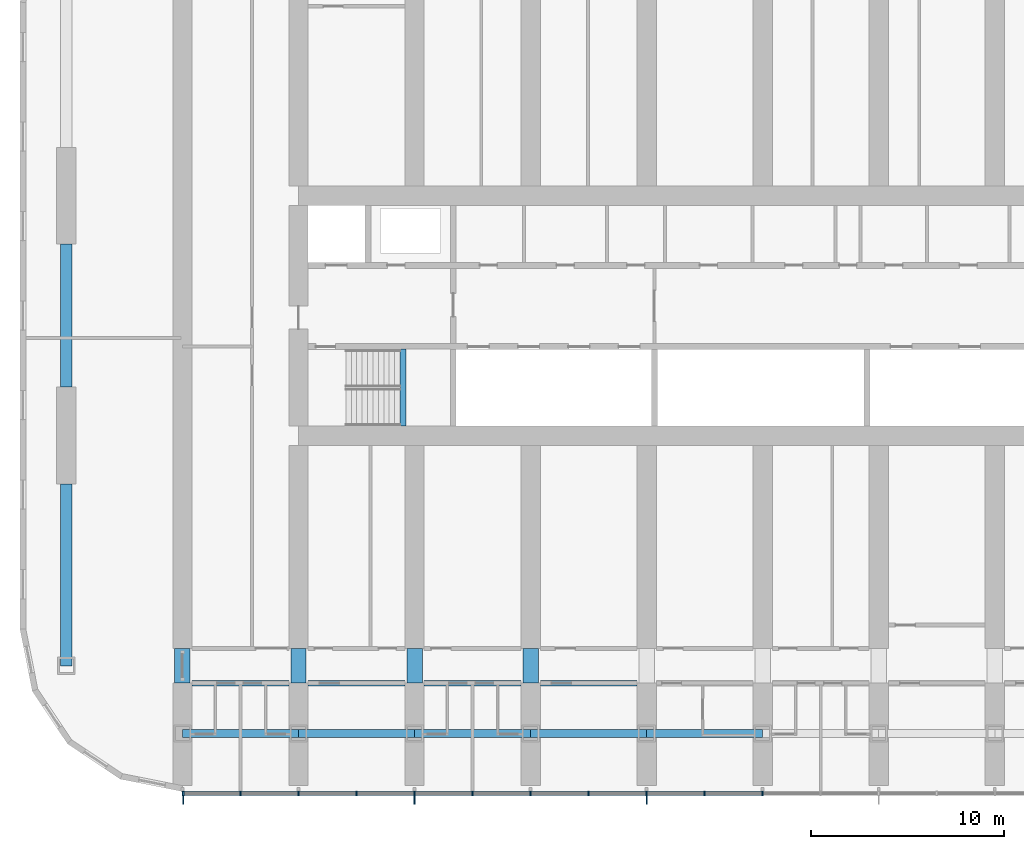
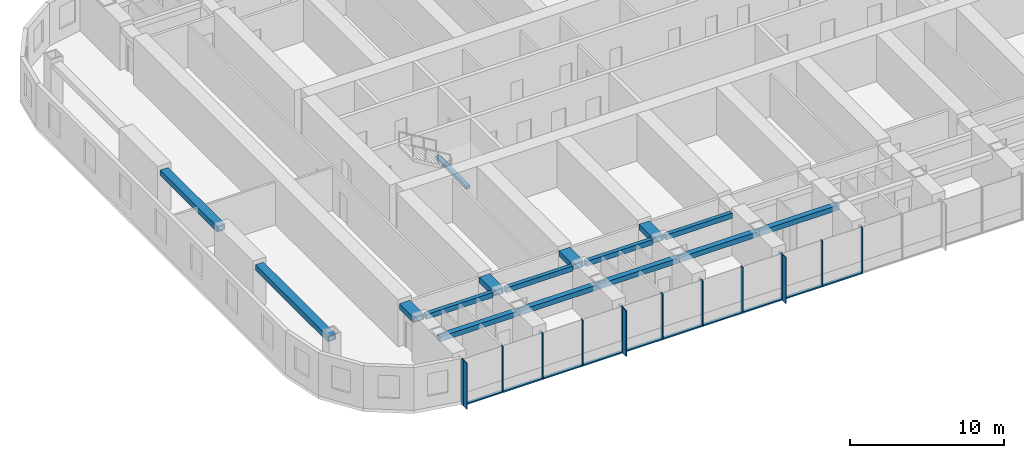
# One storey, part 2 of 23: 24 members, 16 beams, 1 element without a shape of its own.
"""IFC4 building model written with IfcOpenShell, lengths in metres."""

import ifcopenshell
import ifcopenshell.guid

model = None  # the IFC model being written
_history = None  # IfcOwnerHistory: only IFC2X3 demands one
_inside = {}  # id of a spatial element -> (the spatial element, [elements in it])
_under = {}  # id of a project, library or spatial element -> (it, [spatial elements below it])
_declared = {}  # id of a project -> (the project, [libraries it declares])
_typed = {}  # id of a type object -> (the type object, [elements of that type])
_made_of = {}  # id of a material, layer set ... -> (it, [elements and type objects made of it])


def new_model(schema):
    """Start an empty IFC model of exactly this schema.

    Asked for "IFC4X3", IfcOpenShell would pick the latest addendum, in which some entities
    have other attributes; the version numbers below select the first issue.
    IFC2X3 requires an IfcOwnerHistory on every rooted entity: one is made here for all.
    """
    global model, _history
    if schema == "IFC4X3":
        model = ifcopenshell.file(schema_version=(4, 3, 0, 0))
    else:
        model = ifcopenshell.file(schema=schema)
    _inside.clear()
    _under.clear()
    _declared.clear()
    _typed.clear()
    _made_of.clear()
    _history = None
    if model.schema == "IFC2X3":
        org = make("IfcOrganization", Name="unknown")
        user = make(
            "IfcPersonAndOrganization",
            ThePerson=make("IfcPerson", FamilyName="unknown"),
            TheOrganization=org,
        )
        app = make(
            "IfcApplication",
            ApplicationDeveloper=org,
            Version="unknown",
            ApplicationFullName="unknown",
            ApplicationIdentifier="unknown",
        )
        _history = make(
            "IfcOwnerHistory",
            OwningUser=user,
            OwningApplication=app,
            ChangeAction="ADDED",
            CreationDate=0,
        )
    return model


def make(cls, **values):
    """One entity of the class cls with the attributes given. An attribute that is None is left unset."""
    return model.create_entity(
        cls, **{name: value for name, value in values.items() if value is not None}
    )


def rooted(cls, **values):
    """An entity with a GlobalId (a new one), such as an element, a storey or a relation."""
    return make(cls, GlobalId=ifcopenshell.guid.new(), OwnerHistory=_history, **values)


def si_unit(unit_type, name, prefix=None):
    """IfcSIUnit, for example si_unit("LENGTHUNIT", "METRE", prefix="MILLI")."""
    return make("IfcSIUnit", UnitType=unit_type, Prefix=prefix, Name=name)


def assignment(units):
    """IfcUnitAssignment: the units of a project."""
    return None if units is None else make("IfcUnitAssignment", Units=units)


def point(xyz):
    """IfcCartesianPoint."""
    return None if xyz is None else make("IfcCartesianPoint", Coordinates=xyz)


def direction(xyz):
    """IfcDirection."""
    return None if xyz is None else make("IfcDirection", DirectionRatios=xyz)


def frame(location, z_axis=None, x_axis=None):
    """IfcAxis2Placement3D, a coordinate frame: its origin and axes. An axis left out is left unset."""
    return make(
        "IfcAxis2Placement3D",
        Location=point(location),
        Axis=direction(z_axis),
        RefDirection=direction(x_axis),
    )


def frame_2d(location, x_axis=None):
    """IfcAxis2Placement2D, a coordinate frame in the plane: its origin and x axis."""
    return make(
        "IfcAxis2Placement2D", Location=point(location), RefDirection=direction(x_axis)
    )


def origin():
    """The frame at (0, 0, 0) with its axes left unset."""
    return frame((0.0, 0.0, 0.0))


def origin_2d():
    """The frame at (0, 0) in the plane with its x axis left unset."""
    return frame_2d((0.0, 0.0))


def place(relative_to, where):
    """IfcLocalPlacement: puts the frame where relative to a parent placement (None: the world)."""
    return make(
        "IfcLocalPlacement", PlacementRelTo=relative_to, RelativePlacement=where
    )


def context(
    kind, dimensions, precision=None, world=None, true_north=None, identifier=None
):
    """IfcGeometricRepresentationContext, for example the 3D "Model" context."""
    return make(
        "IfcGeometricRepresentationContext",
        ContextIdentifier=identifier,
        ContextType=kind,
        CoordinateSpaceDimension=dimensions,
        Precision=precision,
        WorldCoordinateSystem=world,
        TrueNorth=true_north,
    )


def subcontext(parent, identifier, kind, view, scale=None):
    """IfcGeometricRepresentationSubContext, for example "Body" below "Model"."""
    return make(
        "IfcGeometricRepresentationSubContext",
        ContextIdentifier=identifier,
        ContextType=kind,
        ParentContext=parent,
        TargetScale=scale,
        TargetView=view,
    )


def project(units=None, contexts=None):
    """IfcProject with its units and contexts."""
    return rooted(
        "IfcProject",
        Name="project",
        RepresentationContexts=contexts,
        UnitsInContext=assignment(units),
    )


def spatial(cls, under=None, at=None, **own):
    """A site, building, storey or space (cls), placed at a placement, below another one or the project."""
    s = rooted(cls, ObjectPlacement=at, **own)
    if under is not None:
        _under.setdefault(under.id(), (under, []))[1].append(s)
    return s


def profile(cls, at=None, kind="AREA", **sizes):
    """A parametric profile (cls). Its sizes go by their IFC names, for example OverallWidth=200.0."""
    return make(cls, ProfileType=kind, Position=at, **sizes)


def rectangle(**sizes):
    """IfcRectangleProfileDef."""
    return profile("IfcRectangleProfileDef", **sizes)


def hollow_rectangle(**sizes):
    """IfcRectangleHollowProfileDef."""
    return profile("IfcRectangleHollowProfileDef", **sizes)


def extrude(swept, where, along, depth):
    """IfcExtrudedAreaSolid: the profile swept, set in the frame where, extruded along a direction by depth."""
    return make(
        "IfcExtrudedAreaSolid",
        SweptArea=swept,
        Position=where,
        ExtrudedDirection=direction(along),
        Depth=depth,
    )


def shape(context_of_items, identifier, shape_type, items):
    """IfcShapeRepresentation: the items that make up one representation, for example the "Body"."""
    return make(
        "IfcShapeRepresentation",
        ContextOfItems=context_of_items,
        RepresentationIdentifier=identifier,
        RepresentationType=shape_type,
        Items=items,
    )


def material(Name=None, Category=None):
    """IfcMaterial."""
    return make("IfcMaterial", Name=Name, Category=Category)


def material_profile(
    of_material, cross_section, Name=None, Category=None, Priority=None
):
    """IfcMaterialProfile: a cross section and its material."""
    return make(
        "IfcMaterialProfile",
        Name=Name,
        Material=of_material,
        Profile=cross_section,
        Priority=Priority,
        Category=Category,
    )


def profile_set(profiles, Name=None, composite=None):
    """IfcMaterialProfileSet."""
    return make(
        "IfcMaterialProfileSet",
        Name=Name,
        MaterialProfiles=profiles,
        CompositeProfile=composite,
    )


def made_of(thing, what):
    """Note that an element or type object is made of a material, layer set ...; save() writes the relation."""
    if what is not None:
        _made_of.setdefault(what.id(), (what, []))[1].append(thing)
    return thing


def type_object(cls, material=None, **own):
    """A type object (cls), such as IfcWallType, which elements share."""
    return made_of(rooted(cls, **own), material)


def element(
    cls,
    number,
    at=None,
    inside=None,
    cuts=None,
    type_object=None,
    material=None,
    context=None,
    identifier="Body",
    shape_type=None,
    held_by="IfcProductDefinitionShape",
    body=None,
    shapes=None,
    **own,
):
    """One element of the class cls, such as IfcWall. Its Tag is "e" and its number.

    at: its placement. inside: the storey or other place that contains it. cuts: it is an
    opening in that element (IfcRelVoidsElement). A single representation is given by context,
    identifier, shape_type and body (its items); several are given by shapes. held_by: the class
    of the entity that holds the representations. save() writes the other relations.
    """
    e = rooted(cls, Tag="e%d" % number, ObjectPlacement=at, **own)
    if body is not None:
        shapes = [shape(context, identifier, shape_type, body)]
    if shapes is not None:
        e.Representation = make(held_by, Representations=shapes)
    if inside is not None:
        _inside.setdefault(inside.id(), (inside, []))[1].append(e)
    if cuts is not None:
        rooted(
            "IfcRelVoidsElement", RelatingBuildingElement=cuts, RelatedOpeningElement=e
        )
    if type_object is not None:
        _typed.setdefault(type_object.id(), (type_object, []))[1].append(e)
    return made_of(e, material)


def aggregate(whole, parts):
    """IfcRelAggregates: a whole, such as a stair, and the parts it consists of."""
    return rooted("IfcRelAggregates", RelatingObject=whole, RelatedObjects=parts)


def save(model, path):
    """Write the relations noted so far, then the file.

    IfcRelAggregates (storeys below a building ...), IfcRelContainedInSpatialStructure (elements
    in a storey), IfcRelDefinesByType, IfcRelAssociatesMaterial and IfcRelDeclares: one each for
    every whole, place, type object, material and project.
    """
    for whole, parts in _under.values():
        aggregate(whole, parts)
    for where, things in _inside.values():
        rooted(
            "IfcRelContainedInSpatialStructure",
            RelatedElements=things,
            RelatingStructure=where,
        )
    for kind, things in _typed.values():
        rooted("IfcRelDefinesByType", RelatedObjects=things, RelatingType=kind)
    for what, things in _made_of.values():
        rooted("IfcRelAssociatesMaterial", RelatedObjects=things, RelatingMaterial=what)
    for by, libraries in _declared.values():
        rooted("IfcRelDeclares", RelatingContext=by, RelatedDefinitions=libraries)
    model.write(path)


model = new_model("IFC4")

# Units and contexts
model_context = context("Model", 3, precision=1e-05, world=origin(), true_north=direction((0.0, 1.0)))
body_context = subcontext(model_context, "Body", "Model", "MODEL_VIEW")
ifc_project = project(units=[si_unit("LENGTHUNIT", "METRE"), si_unit("AREAUNIT", "SQUARE_METRE"), si_unit("VOLUMEUNIT", "CUBIC_METRE"), si_unit("PLANEANGLEUNIT", "RADIAN"), si_unit("MASSUNIT", "GRAM", prefix="KILO")], contexts=[model_context])

# Site, building, storey
site_placement = place(None, origin())
site = spatial("IfcSite", under=ifc_project, at=site_placement, CompositionType="ELEMENT")
building_placement = place(site_placement, origin())
building = spatial("IfcBuilding", under=site, at=building_placement, Name="Orbita Commons", CompositionType="ELEMENT")
storey_placement = place(building_placement, frame((0.0, 0.0, 65.199951171875)))
storey = spatial("IfcBuildingStorey", under=building, at=storey_placement, Name="L16", CompositionType="ELEMENT", Elevation=65.199951171875)

# Curtain wall, members
ifc_material_1 = material(Name="Anodised aluminium frame, pale silver", Category="aluminium")
curtain_wall_type = type_object("IfcCurtainWallType", Name="Unitised curtain wall CW-T, vision and spandrel", PredefinedType="NOTDEFINED", material=ifc_material_1)
curtain_wall_placement = place(storey_placement, origin())
curtain_wall = element("IfcCurtainWall", 1, at=curtain_wall_placement, inside=storey, type_object=curtain_wall_type, Name="Curtain wall south L16", PredefinedType="NOTDEFINED")
ifc_material_2 = material(Name="Anodised aluminium, pale silver", Category="aluminium")
ifc_material_profile_1 = material_profile(ifc_material_2, rectangle(XDim=0.080078125, YDim=0.219970703125, at=origin_2d()), Name="AL 80x220")
ifc_profile_set_1 = profile_set([ifc_material_profile_1], Name="Anodised aluminium, pale silver")
member_type_1 = type_object("IfcMemberType", Name="Curtain wall mullion 80x220", PredefinedType="MULLION", material=ifc_profile_set_1)
member_1_placement = place(storey_placement, frame((12.0400390625, 7.2900390625, -0.25), z_axis=(0.0, 0.0, 1.0), x_axis=(1.0, 0.0, 0.0)))
member_1 = element("IfcMember", 2, at=member_1_placement, type_object=member_type_1, Name="Mullion 1 CW-L16-S", PredefinedType="MULLION", context=body_context, shape_type="SweptSolid", body=[
    extrude(rectangle(XDim=0.080078125, YDim=0.219970703125, at=origin_2d()), origin(), (0.0, 0.0, 1.0), 3.650146484375),
])
member_2_placement = place(storey_placement, frame((15.0, 7.2900390625, -0.25), z_axis=(0.0, 0.0, 1.0), x_axis=(1.0, 0.0, 0.0)))
member_2 = element("IfcMember", 3, at=member_2_placement, type_object=member_type_1, Name="Mullion 2 CW-L16-S", PredefinedType="MULLION", context=body_context, shape_type="SweptSolid", body=[
    extrude(rectangle(XDim=0.080078125, YDim=0.219970703125, at=origin_2d()), origin(), (0.0, 0.0, 1.0), 3.650146484375),
])
member_3_placement = place(storey_placement, frame((18.0, 7.2900390625, -0.25), z_axis=(0.0, 0.0, 1.0), x_axis=(1.0, 0.0, 0.0)))
member_3 = element("IfcMember", 4, at=member_3_placement, type_object=member_type_1, Name="Mullion 3 CW-L16-S", PredefinedType="MULLION", context=body_context, shape_type="SweptSolid", body=[
    extrude(rectangle(XDim=0.080078125, YDim=0.219970703125, at=origin_2d()), origin(), (0.0, 0.0, 1.0), 3.650146484375),
])
member_4_placement = place(storey_placement, frame((21.0, 7.2900390625, -0.25), z_axis=(0.0, 0.0, 1.0), x_axis=(1.0, 0.0, 0.0)))
member_4 = element("IfcMember", 5, at=member_4_placement, type_object=member_type_1, Name="Mullion 4 CW-L16-S", PredefinedType="MULLION", context=body_context, shape_type="SweptSolid", body=[
    extrude(rectangle(XDim=0.080078125, YDim=0.219970703125, at=origin_2d()), origin(), (0.0, 0.0, 1.0), 3.650146484375),
])
member_5_placement = place(storey_placement, frame((24.0, 7.2900390625, -0.25), z_axis=(0.0, 0.0, 1.0), x_axis=(1.0, 0.0, 0.0)))
member_5 = element("IfcMember", 6, at=member_5_placement, type_object=member_type_1, Name="Mullion 5 CW-L16-S", PredefinedType="MULLION", context=body_context, shape_type="SweptSolid", body=[
    extrude(rectangle(XDim=0.080078125, YDim=0.219970703125, at=origin_2d()), origin(), (0.0, 0.0, 1.0), 3.650146484375),
])
member_6_placement = place(storey_placement, frame((27.0, 7.2900390625, -0.25), z_axis=(0.0, 0.0, 1.0), x_axis=(1.0, 0.0, 0.0)))
member_6 = element("IfcMember", 7, at=member_6_placement, type_object=member_type_1, Name="Mullion 6 CW-L16-S", PredefinedType="MULLION", context=body_context, shape_type="SweptSolid", body=[
    extrude(rectangle(XDim=0.080078125, YDim=0.219970703125, at=origin_2d()), origin(), (0.0, 0.0, 1.0), 3.650146484375),
])
member_7_placement = place(storey_placement, frame((30.0, 7.2900390625, -0.25), z_axis=(0.0, 0.0, 1.0), x_axis=(1.0, 0.0, 0.0)))
member_7 = element("IfcMember", 8, at=member_7_placement, type_object=member_type_1, Name="Mullion 7 CW-L16-S", PredefinedType="MULLION", context=body_context, shape_type="SweptSolid", body=[
    extrude(rectangle(XDim=0.080078125, YDim=0.219970703125, at=origin_2d()), origin(), (0.0, 0.0, 1.0), 3.650146484375),
])
member_8_placement = place(storey_placement, frame((33.0, 7.2900390625, -0.25), z_axis=(0.0, 0.0, 1.0), x_axis=(1.0, 0.0, 0.0)))
member_8 = element("IfcMember", 9, at=member_8_placement, type_object=member_type_1, Name="Mullion 8 CW-L16-S", PredefinedType="MULLION", context=body_context, shape_type="SweptSolid", body=[
    extrude(rectangle(XDim=0.080078125, YDim=0.219970703125, at=origin_2d()), origin(), (0.0, 0.0, 1.0), 3.650146484375),
])
member_9_placement = place(storey_placement, frame((36.0, 7.2900390625, -0.25), z_axis=(0.0, 0.0, 1.0), x_axis=(1.0, 0.0, 0.0)))
member_9 = element("IfcMember", 10, at=member_9_placement, type_object=member_type_1, Name="Mullion 9 CW-L16-S", PredefinedType="MULLION", context=body_context, shape_type="SweptSolid", body=[
    extrude(rectangle(XDim=0.080078125, YDim=0.219970703125, at=origin_2d()), origin(), (0.0, 0.0, 1.0), 3.650146484375),
])
member_10_placement = place(storey_placement, frame((39.0, 7.2900390625, -0.25), z_axis=(0.0, 0.0, 1.0), x_axis=(1.0, 0.0, 0.0)))
member_10 = element("IfcMember", 11, at=member_10_placement, type_object=member_type_1, Name="Mullion 10 CW-L16-S", PredefinedType="MULLION", context=body_context, shape_type="SweptSolid", body=[
    extrude(rectangle(XDim=0.080078125, YDim=0.219970703125, at=origin_2d()), origin(), (0.0, 0.0, 1.0), 3.650146484375),
])
member_11_placement = place(storey_placement, frame((42.0, 7.2900390625, -0.25), z_axis=(0.0, 0.0, 1.0), x_axis=(1.0, 0.0, 0.0)))
member_11 = element("IfcMember", 12, at=member_11_placement, type_object=member_type_1, Name="Mullion 11 CW-L16-S", PredefinedType="MULLION", context=body_context, shape_type="SweptSolid", body=[
    extrude(rectangle(XDim=0.080078125, YDim=0.219970703125, at=origin_2d()), origin(), (0.0, 0.0, 1.0), 3.650146484375),
])
ifc_material_3 = material(Name="Anodised aluminium, pale silver", Category="aluminium")
ifc_material_profile_2 = material_profile(ifc_material_3, rectangle(XDim=0.219970703125, YDim=0.10009765625, at=origin_2d()), Name="AL 220x100")
ifc_profile_set_2 = profile_set([ifc_material_profile_2], Name="Anodised aluminium, pale silver")
member_type_2 = type_object("IfcMemberType", Name="Curtain wall stack transom 220x100", PredefinedType="USERDEFINED", material=ifc_profile_set_2)
member_12_placement = place(storey_placement, frame((12.080078125, 7.2900390625, -0.199951171875), z_axis=(1.0, 0.0, 0.0), x_axis=(0.0, 1.0, 0.0)))
member_12 = element("IfcMember", 13, at=member_12_placement, type_object=member_type_2, Name="Transom 1.1 CW-L16-S", ObjectType="TRANSOM", PredefinedType="USERDEFINED", context=body_context, shape_type="SweptSolid", body=[
    extrude(rectangle(XDim=0.219970703125, YDim=0.10009765625, at=origin_2d()), origin(), (0.0, 0.0, 1.0), 2.8798828125),
])
member_13_placement = place(storey_placement, frame((15.0400390625, 7.2900390625, -0.199951171875), z_axis=(1.0, 0.0, 0.0), x_axis=(0.0, 1.0, 0.0)))
member_13 = element("IfcMember", 14, at=member_13_placement, type_object=member_type_2, Name="Transom 2.1 CW-L16-S", ObjectType="TRANSOM", PredefinedType="USERDEFINED", context=body_context, shape_type="SweptSolid", body=[
    extrude(rectangle(XDim=0.219970703125, YDim=0.10009765625, at=origin_2d()), origin(), (0.0, 0.0, 1.0), 2.919921875),
])
member_14_placement = place(storey_placement, frame((18.0400390625, 7.2900390625, -0.199951171875), z_axis=(1.0, 0.0, 0.0), x_axis=(0.0, 1.0, 0.0)))
member_14 = element("IfcMember", 15, at=member_14_placement, type_object=member_type_2, Name="Transom 3.1 CW-L16-S", ObjectType="TRANSOM", PredefinedType="USERDEFINED", context=body_context, shape_type="SweptSolid", body=[
    extrude(rectangle(XDim=0.219970703125, YDim=0.10009765625, at=origin_2d()), origin(), (0.0, 0.0, 1.0), 2.919921875),
])
member_15_placement = place(storey_placement, frame((21.0400390625, 7.2900390625, -0.199951171875), z_axis=(1.0, 0.0, 0.0), x_axis=(0.0, 1.0, 0.0)))
member_15 = element("IfcMember", 16, at=member_15_placement, type_object=member_type_2, Name="Transom 4.1 CW-L16-S", ObjectType="TRANSOM", PredefinedType="USERDEFINED", context=body_context, shape_type="SweptSolid", body=[
    extrude(rectangle(XDim=0.219970703125, YDim=0.10009765625, at=origin_2d()), origin(), (0.0, 0.0, 1.0), 2.919921875),
])
member_16_placement = place(storey_placement, frame((24.0400390625, 7.2900390625, -0.199951171875), z_axis=(1.0, 0.0, 0.0), x_axis=(0.0, 1.0, 0.0)))
member_16 = element("IfcMember", 17, at=member_16_placement, type_object=member_type_2, Name="Transom 5.1 CW-L16-S", ObjectType="TRANSOM", PredefinedType="USERDEFINED", context=body_context, shape_type="SweptSolid", body=[
    extrude(rectangle(XDim=0.219970703125, YDim=0.10009765625, at=origin_2d()), origin(), (0.0, 0.0, 1.0), 2.919921875),
])
member_17_placement = place(storey_placement, frame((27.0400390625, 7.2900390625, -0.199951171875), z_axis=(1.0, 0.0, 0.0), x_axis=(0.0, 1.0, 0.0)))
member_17 = element("IfcMember", 18, at=member_17_placement, type_object=member_type_2, Name="Transom 6.1 CW-L16-S", ObjectType="TRANSOM", PredefinedType="USERDEFINED", context=body_context, shape_type="SweptSolid", body=[
    extrude(rectangle(XDim=0.219970703125, YDim=0.10009765625, at=origin_2d()), origin(), (0.0, 0.0, 1.0), 2.919921875),
])
member_18_placement = place(storey_placement, frame((30.0400390625, 7.2900390625, -0.199951171875), z_axis=(1.0, 0.0, 0.0), x_axis=(0.0, 1.0, 0.0)))
member_18 = element("IfcMember", 19, at=member_18_placement, type_object=member_type_2, Name="Transom 7.1 CW-L16-S", ObjectType="TRANSOM", PredefinedType="USERDEFINED", context=body_context, shape_type="SweptSolid", body=[
    extrude(rectangle(XDim=0.219970703125, YDim=0.10009765625, at=origin_2d()), origin(), (0.0, 0.0, 1.0), 2.919921875),
])
member_19_placement = place(storey_placement, frame((33.0400390625, 7.2900390625, -0.199951171875), z_axis=(1.0, 0.0, 0.0), x_axis=(0.0, 1.0, 0.0)))
member_19 = element("IfcMember", 20, at=member_19_placement, type_object=member_type_2, Name="Transom 8.1 CW-L16-S", ObjectType="TRANSOM", PredefinedType="USERDEFINED", context=body_context, shape_type="SweptSolid", body=[
    extrude(rectangle(XDim=0.219970703125, YDim=0.10009765625, at=origin_2d()), origin(), (0.0, 0.0, 1.0), 2.919921875),
])
member_20_placement = place(storey_placement, frame((36.0400390625, 7.2900390625, -0.199951171875), z_axis=(1.0, 0.0, 0.0), x_axis=(0.0, 1.0, 0.0)))
member_20 = element("IfcMember", 21, at=member_20_placement, type_object=member_type_2, Name="Transom 9.1 CW-L16-S", ObjectType="TRANSOM", PredefinedType="USERDEFINED", context=body_context, shape_type="SweptSolid", body=[
    extrude(rectangle(XDim=0.219970703125, YDim=0.10009765625, at=origin_2d()), origin(), (0.0, 0.0, 1.0), 2.919921875),
])
member_21_placement = place(storey_placement, frame((39.0400390625, 7.2900390625, -0.199951171875), z_axis=(1.0, 0.0, 0.0), x_axis=(0.0, 1.0, 0.0)))
member_21 = element("IfcMember", 22, at=member_21_placement, type_object=member_type_2, Name="Transom 10.1 CW-L16-S", ObjectType="TRANSOM", PredefinedType="USERDEFINED", context=body_context, shape_type="SweptSolid", body=[
    extrude(rectangle(XDim=0.219970703125, YDim=0.10009765625, at=origin_2d()), origin(), (0.0, 0.0, 1.0), 2.919921875),
])

# Beams
ifc_material_4 = material(Name="Steel ASTM A572 Gr 50 welded plate", Category="steel")
ifc_material_profile_3 = material_profile(ifc_material_4, hollow_rectangle(XDim=0.300048828125, YDim=0.25, WallThickness=0.02490234375, at=origin_2d()), Name="BOX 250x300x25")
ifc_profile_set_3 = profile_set([ifc_material_profile_3], Name="Steel ASTM A572 Gr 50 welded plate")
beam_type_1 = type_object("IfcBeamType", Name="Stair landing beam steel BOX 250x300x25", PredefinedType="BEAM", material=ifc_profile_set_3)
beam_1_placement = place(storey_placement, frame((23.39990234375, 26.284912109375, 1.550048828125), z_axis=(0.0, 1.0, 0.0), x_axis=(-1.0, 0.0, 0.0)))
element("IfcBeam", 23, at=beam_1_placement, inside=storey, type_object=beam_type_1, Name="Stair S1 landing beam L16 1", PredefinedType="BEAM", context=body_context, shape_type="SweptSolid", body=[
    extrude(hollow_rectangle(XDim=0.300048828125, YDim=0.25, WallThickness=0.02490234375, at=origin_2d()), origin(), (0.0, 0.0, 1.0), 3.97998046875),
])
ifc_material_5 = material(Name="Steel ASTM A572 Gr 50 welded plate", Category="steel")
ifc_material_profile_4 = material_profile(ifc_material_5, hollow_rectangle(XDim=0.300048828125, YDim=0.39990234375, WallThickness=0.0400390625, at=origin_2d()), Name="BOX 400x300x40")
ifc_profile_set_4 = profile_set([ifc_material_profile_4], Name="Steel ASTM A572 Gr 50 welded plate")
beam_type_2 = type_object("IfcBeamType", Name="Steel corridor link BOX 400x300x40", PredefinedType="BEAM", material=ifc_profile_set_4)
for number, where, z_axis, x_axis, name in (
    (24, (12.5, 13.0, 3.199951171875), (1.0, 0.0, 0.0), (0.0, 1.0, 0.0), "Corridor beam SA 3-4 L16"),
    (25, (18.5, 13.0, 3.199951171875), (1.0, 0.0, 0.0), (0.0, 1.0, 0.0), "Corridor beam SA 4-5 L16"),
    (26, (24.5, 13.0, 3.199951171875), (1.0, 0.0, 0.0), (0.0, 1.0, 0.0), "Corridor beam SA 5-6 L16"),
    (27, (30.5, 13.0, 3.199951171875), (1.0, 0.0, 0.0), (0.0, 1.0, 0.0), "Corridor beam SA 6-7 L16"),
):
    element("IfcBeam", number, at=place(storey_placement, frame(where, z_axis=z_axis, x_axis=x_axis)), inside=storey, type_object=beam_type_2, Name=name, PredefinedType="BEAM", context=body_context, shape_type="SweptSolid", body=[
        extrude(hollow_rectangle(XDim=0.300048828125, YDim=0.39990234375, WallThickness=0.0400390625, at=origin_2d()), origin(), (0.0, 0.0, 1.0), 5.0),
    ])
ifc_material_6 = material(Name="Steel ASTM A572 Gr 50 welded plate", Category="steel")
ifc_material_profile_5 = material_profile(ifc_material_6, hollow_rectangle(XDim=0.800048828125, YDim=0.449951171875, WallThickness=0.06005859375, at=origin_2d()), Name="BOX 450x800x60")
ifc_profile_set_5 = profile_set([ifc_material_profile_5], Name="Steel ASTM A572 Gr 50 welded plate")
beam_type_3 = type_object("IfcBeamType", Name="Steel coupling link BOX 450x800x60", PredefinedType="LINTEL", material=ifc_profile_set_5)
for number, where, z_axis, x_axis, name in (
    (28, (12.0, 13.0, 3.175048828125), (0.0, 1.0, 0.0), (-1.0, 0.0, 0.0), "Coupling beam 3 south L16"),
    (29, (18.0, 13.0, 3.175048828125), (0.0, 1.0, 0.0), (-1.0, 0.0, 0.0), "Coupling beam 4 south L16"),
    (30, (24.0, 13.0, 3.175048828125), (0.0, 1.0, 0.0), (-1.0, 0.0, 0.0), "Coupling beam 5 south L16"),
    (31, (30.0, 13.0, 3.175048828125), (0.0, 1.0, 0.0), (-1.0, 0.0, 0.0), "Coupling beam 6 south L16"),
):
    element("IfcBeam", number, at=place(storey_placement, frame(where, z_axis=z_axis, x_axis=x_axis)), inside=storey, type_object=beam_type_3, Name=name, PredefinedType="LINTEL", context=body_context, shape_type="SweptSolid", body=[
        extrude(hollow_rectangle(XDim=0.800048828125, YDim=0.449951171875, WallThickness=0.06005859375, at=origin_2d()), origin(), (0.0, 0.0, 1.0), 1.800048828125),
    ])
ifc_material_7 = material(Name="Steel ASTM A572 Gr 50 welded plate", Category="steel")
ifc_material_profile_6 = material_profile(ifc_material_7, hollow_rectangle(XDim=0.60009765625, YDim=0.449951171875, WallThickness=0.06005859375, at=origin_2d()), Name="BOX 450x600x60")
ifc_profile_set_6 = profile_set([ifc_material_profile_6], Name="Steel ASTM A572 Gr 50 welded plate")
beam_type_4 = type_object("IfcBeamType", Name="Steel end frame link BOX 450x600x60", PredefinedType="BEAM", material=ifc_profile_set_6)
beam_2_placement = place(storey_placement, frame((6.0, 13.89990234375, 3.175048828125), z_axis=(0.0, 1.0, 0.0), x_axis=(-1.0, 0.0, 0.0)))
element("IfcBeam", 32, at=beam_2_placement, inside=storey, type_object=beam_type_4, Name="End frame beam 2 B-C L16", PredefinedType="BEAM", context=body_context, shape_type="SweptSolid", body=[
    extrude(hollow_rectangle(XDim=0.60009765625, YDim=0.449951171875, WallThickness=0.06005859375, at=origin_2d()), origin(), (0.0, 0.0, 1.0), 9.400146484375),
])
beam_3_placement = place(storey_placement, frame((6.0, 28.300048828125, 3.175048828125), z_axis=(0.0, 1.0, 0.0), x_axis=(-1.0, 0.0, 0.0)))
element("IfcBeam", 33, at=beam_3_placement, inside=storey, type_object=beam_type_4, Name="End frame beam 2 C-D L16", PredefinedType="BEAM", context=body_context, shape_type="SweptSolid", body=[
    extrude(hollow_rectangle(XDim=0.60009765625, YDim=0.449951171875, WallThickness=0.06005859375, at=origin_2d()), origin(), (0.0, 0.0, 1.0), 7.39990234375),
])
ifc_material_8 = material(Name="Steel ASTM A572 Gr 50 welded plate", Category="steel")
ifc_material_profile_7 = material_profile(ifc_material_8, hollow_rectangle(XDim=0.39990234375, YDim=0.39990234375, WallThickness=0.0400390625, at=origin_2d()), Name="BOX 400x400x40")
ifc_profile_set_7 = profile_set([ifc_material_profile_7], Name="Steel ASTM A572 Gr 50 welded plate")
beam_type_5 = type_object("IfcBeamType", Name="Steel spandrel BOX 400x400x40", PredefinedType="SPANDREL", material=ifc_profile_set_7)
for number, where, z_axis, x_axis, name in (
    (34, (12.0, 10.39990234375, 3.199951171875), (1.0, 0.0, 0.0), (0.0, 1.0, 0.0), "Spandrel beam B 3-4 L16"),
    (35, (18.0, 10.39990234375, 3.199951171875), (1.0, 0.0, 0.0), (0.0, 1.0, 0.0), "Spandrel beam B 4-5 L16"),
    (36, (24.0, 10.39990234375, 3.199951171875), (1.0, 0.0, 0.0), (0.0, 1.0, 0.0), "Spandrel beam B 5-6 L16"),
    (37, (30.0, 10.39990234375, 3.199951171875), (1.0, 0.0, 0.0), (0.0, 1.0, 0.0), "Spandrel beam B 6-7 L16"),
    (38, (36.0, 10.39990234375, 3.199951171875), (1.0, 0.0, 0.0), (0.0, 1.0, 0.0), "Spandrel beam B 7-8 L16"),
):
    element("IfcBeam", number, at=place(storey_placement, frame(where, z_axis=z_axis, x_axis=x_axis)), inside=storey, type_object=beam_type_5, Name=name, PredefinedType="SPANDREL", context=body_context, shape_type="SweptSolid", body=[
        extrude(hollow_rectangle(XDim=0.39990234375, YDim=0.39990234375, WallThickness=0.0400390625, at=origin_2d()), origin(), (0.0, 0.0, 1.0), 6.0),
    ])

# Member
ifc_material_9 = material(Name="Anodised aluminium, pale silver", Category="aluminium")
ifc_material_profile_8 = material_profile(ifc_material_9, rectangle(XDim=0.06005859375, YDim=0.449951171875, at=origin_2d()), Name="FIN 60x450")
ifc_profile_set_8 = profile_set([ifc_material_profile_8], Name="Anodised aluminium, pale silver")
member_type_3 = type_object("IfcMemberType", Name="Vertical fin 60x450 pale aluminium", PredefinedType="USERDEFINED", material=ifc_profile_set_8)
member_22_placement = place(storey_placement, frame((12.0400390625, 6.955078125, -0.25), z_axis=(0.0, 0.0, 1.0), x_axis=(1.0, 0.0, 0.0)))
member_22 = element("IfcMember", 39, at=member_22_placement, type_object=member_type_3, Name="Fin 1 CW-L16-S", ObjectType="FIN", PredefinedType="USERDEFINED", context=body_context, shape_type="SweptSolid", body=[
    extrude(rectangle(XDim=0.06005859375, YDim=0.449951171875, at=origin_2d()), origin(), (0.0, 0.0, 1.0), 3.650146484375),
])

member_23_placement = place(storey_placement, frame((24.0, 6.955078125, -0.25), z_axis=(0.0, 0.0, 1.0), x_axis=(1.0, 0.0, 0.0)))
member_23 = element("IfcMember", 40, at=member_23_placement, type_object=member_type_3, Name="Fin 5 CW-L16-S", ObjectType="FIN", PredefinedType="USERDEFINED", context=body_context, shape_type="SweptSolid", body=[
    extrude(rectangle(XDim=0.06005859375, YDim=0.449951171875, at=origin_2d()), origin(), (0.0, 0.0, 1.0), 3.650146484375),
])

member_24_placement = place(storey_placement, frame((36.0, 6.955078125, -0.25), z_axis=(0.0, 0.0, 1.0), x_axis=(1.0, 0.0, 0.0)))
member_24 = element("IfcMember", 41, at=member_24_placement, type_object=member_type_3, Name="Fin 9 CW-L16-S", ObjectType="FIN", PredefinedType="USERDEFINED", context=body_context, shape_type="SweptSolid", body=[
    extrude(rectangle(XDim=0.06005859375, YDim=0.449951171875, at=origin_2d()), origin(), (0.0, 0.0, 1.0), 3.650146484375),
])

aggregate(curtain_wall, [member_1, member_22, member_2, member_3, member_4, member_5, member_23, member_6, member_7, member_8, member_9, member_24, member_10, member_11, member_12, member_13, member_14, member_15, member_16, member_17, member_18, member_19, member_20, member_21])

save(model, "model.ifc")
